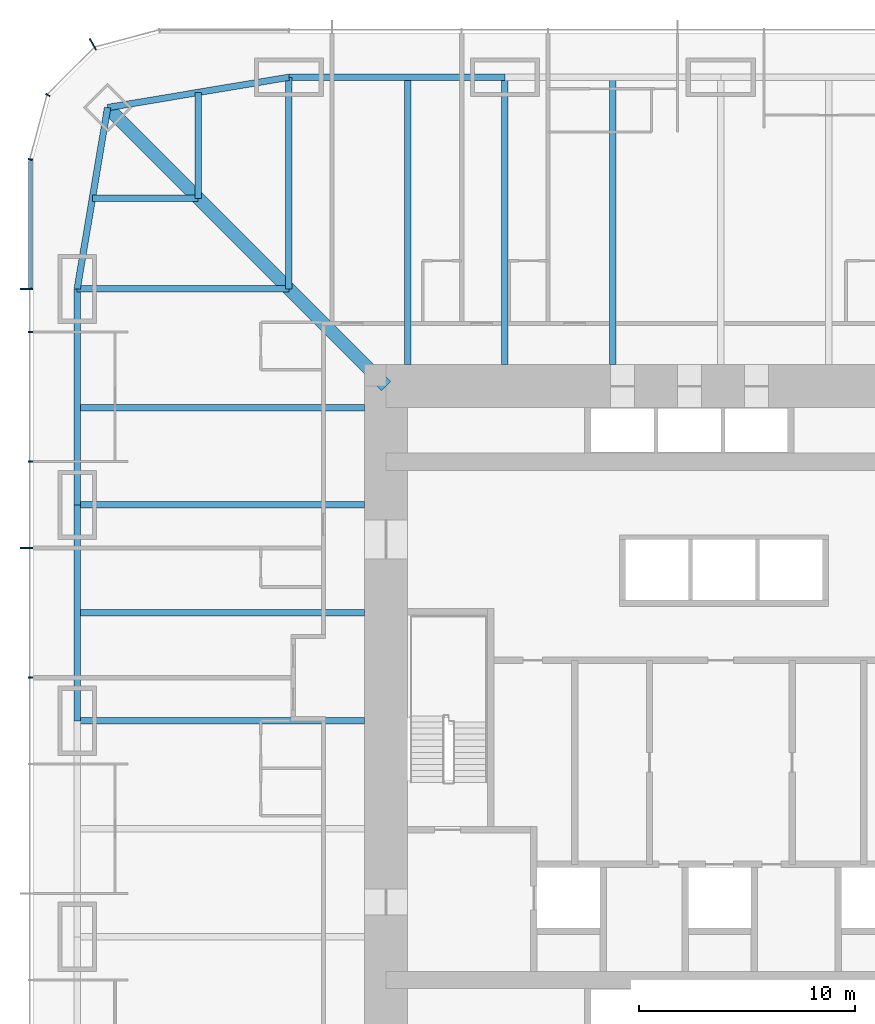
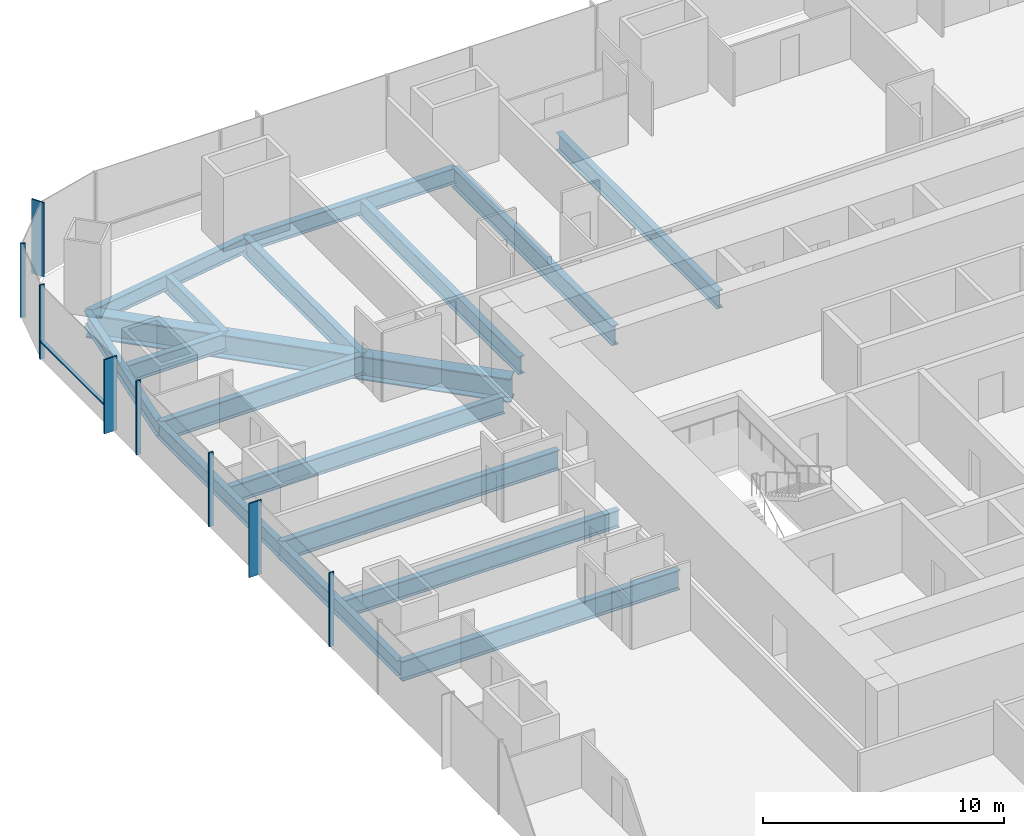
# One storey, part 6 of 20: 17 beams, 9 members, 2 elements without a shape of their own.
"""IFC4 building model written with IfcOpenShell, lengths in metres."""

from ifc_helpers import new_model, si_unit, direction, frame, origin, origin_2d, place, context, subcontext, project, spatial, rectangle, i_section, extrude, material, material_profile, profile_set, type_object, element, aggregate, save


model = new_model("IFC4")

# Units and contexts
model_context = context("Model", 3, precision=1e-05, world=origin(), true_north=direction((0.0, 1.0)))
body_context = subcontext(model_context, "Body", "Model", "MODEL_VIEW")
ifc_project = project(units=[si_unit("LENGTHUNIT", "METRE"), si_unit("AREAUNIT", "SQUARE_METRE"), si_unit("VOLUMEUNIT", "CUBIC_METRE"), si_unit("PLANEANGLEUNIT", "RADIAN"), si_unit("MASSUNIT", "GRAM", prefix="KILO")], contexts=[model_context])

# Site, building, storey
site_placement = place(None, origin())
site = spatial("IfcSite", under=ifc_project, at=site_placement, CompositionType="ELEMENT")
building_placement = place(site_placement, origin())
building = spatial("IfcBuilding", under=site, at=building_placement, Name="Khuree Lantern Residences", CompositionType="ELEMENT")
storey_placement = place(building_placement, frame((0.0, 0.0, 32.25)))
storey = spatial("IfcBuildingStorey", under=building, at=storey_placement, Name="L07", CompositionType="ELEMENT", Elevation=32.25)

# Beams
ifc_material_1 = material(Name="Steel S355", Category="steel")
ifc_material_profile_1 = material_profile(ifc_material_1, i_section(OverallWidth=0.300048828125, OverallDepth=0.889892578125, WebThickness=0.01611328125, FlangeThickness=0.030029296875, FilletRadius=0.030029296875, at=origin_2d()), Name="HE 900 A")
ifc_profile_set_1 = profile_set([ifc_material_profile_1], Name="Steel S355")
beam_type_1 = type_object("IfcBeamType", Name="B-11 SECONDARY BEAM HE 900 A", PredefinedType="BEAM", material=ifc_profile_set_1)
for number, where, z_axis, x_axis, name in (
    (1, (-14.5, 29.800048828125, -0.695068359375), (0.0, -1.0, 0.0), (1.0, 0.0, 0.0), "Secondary beam N1"),
    (2, (-5.0, 29.800048828125, -0.695068359375), (0.0, -1.0, 0.0), (1.0, 0.0, 0.0), "Secondary beam N2"),
    (3, (-29.800048828125, 5.0, -0.695068359375), (1.0, 0.0, 0.0), (0.0, 1.0, 0.0), "Secondary beam W4"),
    (4, (-29.800048828125, 14.5, -0.695068359375), (1.0, 0.0, 0.0), (0.0, 1.0, 0.0), "Secondary beam W5"),
):
    element("IfcBeam", number, at=place(storey_placement, frame(where, z_axis=z_axis, x_axis=x_axis)), inside=storey, type_object=beam_type_1, Name=name, PredefinedType="BEAM", context=body_context, shape_type="SweptSolid", body=[
        extrude(i_section(OverallWidth=0.300048828125, OverallDepth=0.889892578125, WebThickness=0.01611328125, FlangeThickness=0.030029296875, FilletRadius=0.030029296875, at=origin_2d()), origin(), (0.0, 0.0, 1.0), 13.300048828125),
    ])
for number, where, z_axis, x_axis, name in (
    (5, (-29.09716796875, 24.197021484375, -0.695068359375), (1.0, 0.0, 0.0), (0.0, 1.0, 0.0), "Secondary beam W6"),
    (6, (-24.197021484375, 29.09716796875, -0.695068359375), (0.0, -1.0, 0.0), (1.0, 0.0, 0.0), "Secondary beam N6"),
):
    element("IfcBeam", number, at=place(storey_placement, frame(where, z_axis=z_axis, x_axis=x_axis)), inside=storey, type_object=beam_type_1, Name=name, PredefinedType="BEAM", context=body_context, shape_type="SweptSolid", body=[
        extrude(i_section(OverallWidth=0.300048828125, OverallDepth=0.889892578125, WebThickness=0.01611328125, FlangeThickness=0.030029296875, FilletRadius=0.030029296875, at=origin_2d()), origin(), (0.0, 0.0, 1.0), 4.900146484375),
    ])
ifc_material_profile_2 = material_profile(ifc_material_1, i_section(OverallWidth=0.300048828125, OverallDepth=0.7900390625, WebThickness=0.014892578125, FlangeThickness=0.028076171875, FilletRadius=0.030029296875, at=origin_2d()), Name="HE 800 A")
ifc_profile_set_2 = profile_set([ifc_material_profile_2], Name="Steel S355")
beam_type_2 = type_object("IfcBeamType", Name="E-11 SPANDREL BEAM HE 800 A", PredefinedType="SPANDREL", material=ifc_profile_set_2)
for number, where, z_axis, x_axis, name in (
    (7, (-20.0, 29.800048828125, -0.64501953125), (1.0, 0.0, 0.0), (0.0, 1.0, 0.0), "Spandrel beam N1"),
    (8, (-29.800048828125, 0.0, -0.64501953125), (0.0, 1.0, 0.0), (-1.0, 0.0, 0.0), "Spandrel beam W4"),
    (9, (-29.800048828125, 10.0, -0.64501953125), (0.0, 1.0, 0.0), (-1.0, 0.0, 0.0), "Spandrel beam W5"),
):
    element("IfcBeam", number, at=place(storey_placement, frame(where, z_axis=z_axis, x_axis=x_axis)), inside=storey, type_object=beam_type_2, Name=name, PredefinedType="SPANDREL", context=body_context, shape_type="SweptSolid", body=[
        extrude(i_section(OverallWidth=0.300048828125, OverallDepth=0.7900390625, WebThickness=0.014892578125, FlangeThickness=0.028076171875, FilletRadius=0.030029296875, at=origin_2d()), origin(), (0.0, 0.0, 1.0), 10.0),
    ])
for number, where, z_axis, x_axis, name in (
    (10, (-29.800048828125, 20.0, -0.64501953125), (0.165199022349, 0.986260251158, 0.0), (-0.986260251158, 0.165199022349, 0.0), "Spandrel beam W6"),
    (11, (-28.39404296875, 28.39404296875, -0.64501953125), (0.986260251158, 0.165199022349, 0.0), (-0.165199022349, 0.986260251158, 0.0), "Spandrel beam N6"),
):
    element("IfcBeam", number, at=place(storey_placement, frame(where, z_axis=z_axis, x_axis=x_axis)), inside=storey, type_object=beam_type_2, Name=name, PredefinedType="SPANDREL", context=body_context, shape_type="SweptSolid", body=[
        extrude(i_section(OverallWidth=0.300048828125, OverallDepth=0.7900390625, WebThickness=0.014892578125, FlangeThickness=0.028076171875, FilletRadius=0.030029296875, at=origin_2d()), origin(), (0.0, 0.0, 1.0), 8.510986328125),
    ])

# Curtain wall, member
ifc_material_2 = material(Name="Bronze anodised aluminium", Category="aluminium")
curtain_wall_type_1 = type_object("IfcCurtainWallType", Name="CW-T2 TOWER CORNER CURTAIN WALL", PredefinedType="USERDEFINED", material=ifc_material_2)
curtain_wall_1_placement = place(storey_placement, origin())
curtain_wall_1 = element("IfcCurtainWall", 12, at=curtain_wall_1_placement, inside=storey, type_object=curtain_wall_type_1, Name="L07 NORTH-WEST CORNER CURTAIN WALL", ObjectType="Faceted corner curtain wall", PredefinedType="USERDEFINED")
ifc_material_profile_3 = material_profile(ifc_material_2, rectangle(XDim=0.06494140625, YDim=0.60009765625, at=origin_2d()), Name="F1 65X600")
ifc_profile_set_3 = profile_set([ifc_material_profile_3], Name="Bronze anodised aluminium")
member_type_1 = type_object("IfcMemberType", Name="F1 BRONZE FIN MULLION TOWER 65X600", PredefinedType="MULLION", material=ifc_profile_set_3)
member_1_placement = place(storey_placement, frame((-29.074951171875, 31.326171875, 0.0), z_axis=(0.0, 0.0, 1.0), x_axis=(-0.86602537092, -0.500000056923, 0.0)))
member_1 = element("IfcMember", 13, at=member_1_placement, type_object=member_type_1, Name="L07 NORTH-WEST CORNER FIN MULLION 30", PredefinedType="MULLION", context=body_context, shape_type="SweptSolid", body=[
    extrude(rectangle(XDim=0.06494140625, YDim=0.60009765625, at=origin_2d()), origin(), (0.0, 0.0, 1.0), 3.75),
])

# Curtain wall, members
curtain_wall_type_2 = type_object("IfcCurtainWallType", Name="CW-T1 TOWER FACE CURTAIN WALL", PredefinedType="USERDEFINED", material=ifc_material_2)
curtain_wall_2_placement = place(storey_placement, origin())
curtain_wall_2 = element("IfcCurtainWall", 14, at=curtain_wall_2_placement, inside=storey, type_object=curtain_wall_type_2, Name="L07 WEST FACE CURTAIN WALL", ObjectType="Stick-built curtain wall", PredefinedType="USERDEFINED")
member_2_placement = place(storey_placement, frame((-32.14990234375, 20.0, 0.0), z_axis=(0.0, 0.0, 1.0), x_axis=(0.0, -1.0, 0.0)))
member_2 = element("IfcMember", 15, at=member_2_placement, type_object=member_type_1, Name="L07 WEST FACE FIN MULLION 33", PredefinedType="MULLION", context=body_context, shape_type="SweptSolid", body=[
    extrude(rectangle(XDim=0.06494140625, YDim=0.60009765625, at=origin_2d()), origin(), (0.0, 0.0, 1.0), 3.75),
])
member_3_placement = place(storey_placement, frame((-32.14990234375, 8.0, 0.0), z_axis=(0.0, 0.0, 1.0), x_axis=(0.0, -1.0, 0.0)))
member_3 = element("IfcMember", 16, at=member_3_placement, type_object=member_type_1, Name="L07 WEST FACE FIN MULLION 36", PredefinedType="MULLION", context=body_context, shape_type="SweptSolid", body=[
    extrude(rectangle(XDim=0.06494140625, YDim=0.60009765625, at=origin_2d()), origin(), (0.0, 0.0, 1.0), 3.75),
])

# Beams
ifc_material_profile_4 = material_profile(ifc_material_1, i_section(OverallWidth=0.302001953125, OverallDepth=1.008056640625, WebThickness=0.02099609375, FlangeThickness=0.0400390625, FilletRadius=0.030029296875, at=origin_2d()), Name="HE 1000 M")
ifc_profile_set_4 = profile_set([ifc_material_profile_4], Name="Steel S355")
beam_type_3 = type_object("IfcBeamType", Name="G-11 GIRDER HE 1000 M", PredefinedType="BEAM", material=ifc_profile_set_4)
beam_1_placement = place(storey_placement, frame((-20.0, 29.800048828125, -0.75390625), z_axis=(0.0, -1.0, 0.0), x_axis=(1.0, 0.0, 0.0)))
element("IfcBeam", 17, at=beam_1_placement, inside=storey, type_object=beam_type_3, Name="Girder N1", PredefinedType="BEAM", context=body_context, shape_type="SweptSolid", body=[
    extrude(i_section(OverallWidth=0.302001953125, OverallDepth=1.008056640625, WebThickness=0.02099609375, FlangeThickness=0.0400390625, FilletRadius=0.030029296875, at=origin_2d()), origin(), (0.0, 0.0, 1.0), 9.800048828125),
])
for number, where, z_axis, x_axis, name in (
    (18, (-10.0, 29.800048828125, -0.75390625), (0.0, -1.0, 0.0), (1.0, 0.0, 0.0), "Girder N2"),
    (19, (-29.800048828125, 0.0, -0.75390625), (1.0, 0.0, 0.0), (0.0, 1.0, 0.0), "Girder W3"),
    (20, (-29.800048828125, 10.0, -0.75390625), (1.0, 0.0, 0.0), (0.0, 1.0, 0.0), "Girder W4"),
):
    element("IfcBeam", number, at=place(storey_placement, frame(where, z_axis=z_axis, x_axis=x_axis)), inside=storey, type_object=beam_type_3, Name=name, PredefinedType="BEAM", context=body_context, shape_type="SweptSolid", body=[
        extrude(i_section(OverallWidth=0.302001953125, OverallDepth=1.008056640625, WebThickness=0.02099609375, FlangeThickness=0.0400390625, FilletRadius=0.030029296875, at=origin_2d()), origin(), (0.0, 0.0, 1.0), 13.300048828125),
    ])
beam_2_placement = place(storey_placement, frame((-29.800048828125, 20.0, -0.75390625), z_axis=(1.0, 0.0, 0.0), x_axis=(0.0, 1.0, 0.0)))
element("IfcBeam", 21, at=beam_2_placement, inside=storey, type_object=beam_type_3, Name="Girder W5", PredefinedType="BEAM", context=body_context, shape_type="SweptSolid", body=[
    extrude(i_section(OverallWidth=0.302001953125, OverallDepth=1.008056640625, WebThickness=0.02099609375, FlangeThickness=0.0400390625, FilletRadius=0.030029296875, at=origin_2d()), origin(), (0.0, 0.0, 1.0), 9.800048828125),
])
ifc_material_profile_5 = material_profile(ifc_material_1, i_section(OverallWidth=0.60009765625, OverallDepth=1.199951171875, WebThickness=0.030029296875, FlangeThickness=0.06005859375, at=origin_2d()), Name="WELDED I 1200X600X30X60")
ifc_profile_set_5 = profile_set([ifc_material_profile_5], Name="Steel S355")
beam_type_4 = type_object("IfcBeamType", Name="GD-11 CORNER GIRDER WELDED I 1200X600X30X60", PredefinedType="BEAM", material=ifc_profile_set_5)
beam_3_placement = place(storey_placement, frame((-28.39404296875, 28.39404296875, -0.85009765625), z_axis=(0.707106781187, -0.707106781187, 0.0), x_axis=(0.707106781187, 0.707106781187, 0.0)))
element("IfcBeam", 22, at=beam_3_placement, inside=storey, type_object=beam_type_4, Name="Corner girder NW", PredefinedType="BEAM", context=body_context, shape_type="SweptSolid", body=[
    extrude(i_section(OverallWidth=0.60009765625, OverallDepth=1.199951171875, WebThickness=0.030029296875, FlangeThickness=0.06005859375, at=origin_2d()), origin(), (0.0, 0.0, 1.0), 18.23486328125),
])

# Member
ifc_material_profile_6 = material_profile(ifc_material_2, rectangle(XDim=0.06494140625, YDim=0.219970703125, at=origin_2d()), Name="M1 65X220")
ifc_profile_set_6 = profile_set([ifc_material_profile_6], Name="Bronze anodised aluminium")
member_type_2 = type_object("IfcMemberType", Name="M1 BRONZE MULLION TOWER 65X220", PredefinedType="MULLION", material=ifc_profile_set_6)
member_4_placement = place(storey_placement, frame((-31.16162109375, 28.97998046875, 0.0), z_axis=(0.0, 0.0, 1.0), x_axis=(-0.500000056923, -0.86602537092, 0.0)))
member_4 = element("IfcMember", 23, at=member_4_placement, type_object=member_type_2, Name="L07 NORTH-WEST CORNER MULLION 31", PredefinedType="MULLION", context=body_context, shape_type="SweptSolid", body=[
    extrude(rectangle(XDim=0.06494140625, YDim=0.219970703125, at=origin_2d()), origin(), (0.0, 0.0, 1.0), 3.75),
])

aggregate(curtain_wall_1, [member_1, member_4])

member_5_placement = place(storey_placement, frame((-31.961669921875, 25.994873046875, 0.0), z_axis=(0.0, 0.0, 1.0), x_axis=(-0.130526257387, -0.991444852794, 0.0)))
member_5 = element("IfcMember", 24, at=member_5_placement, type_object=member_type_2, Name="L07 WEST FACE MULLION 32", PredefinedType="MULLION", context=body_context, shape_type="SweptSolid", body=[
    extrude(rectangle(XDim=0.06494140625, YDim=0.219970703125, at=origin_2d()), origin(), (0.0, 0.0, 1.0), 3.75),
])

member_6_placement = place(storey_placement, frame((-31.9599609375, 18.0, 0.0), z_axis=(0.0, 0.0, 1.0), x_axis=(0.0, -1.0, 0.0)))
member_6 = element("IfcMember", 25, at=member_6_placement, type_object=member_type_2, Name="L07 WEST FACE MULLION 34", PredefinedType="MULLION", context=body_context, shape_type="SweptSolid", body=[
    extrude(rectangle(XDim=0.06494140625, YDim=0.219970703125, at=origin_2d()), origin(), (0.0, 0.0, 1.0), 3.75),
])

member_7_placement = place(storey_placement, frame((-31.9599609375, 12.0, 0.0), z_axis=(0.0, 0.0, 1.0), x_axis=(0.0, -1.0, 0.0)))
member_7 = element("IfcMember", 26, at=member_7_placement, type_object=member_type_2, Name="L07 WEST FACE MULLION 35", PredefinedType="MULLION", context=body_context, shape_type="SweptSolid", body=[
    extrude(rectangle(XDim=0.06494140625, YDim=0.219970703125, at=origin_2d()), origin(), (0.0, 0.0, 1.0), 3.75),
])

member_8_placement = place(storey_placement, frame((-31.9599609375, 2.0, 0.0), z_axis=(0.0, 0.0, 1.0), x_axis=(0.0, -1.0, 0.0)))
member_8 = element("IfcMember", 27, at=member_8_placement, type_object=member_type_2, Name="L07 WEST FACE MULLION 37", PredefinedType="MULLION", context=body_context, shape_type="SweptSolid", body=[
    extrude(rectangle(XDim=0.06494140625, YDim=0.219970703125, at=origin_2d()), origin(), (0.0, 0.0, 1.0), 3.75),
])

ifc_material_profile_7 = material_profile(ifc_material_2, rectangle(XDim=0.179931640625, YDim=0.06494140625, at=origin_2d()), Name="T1 180X65")
ifc_profile_set_7 = profile_set([ifc_material_profile_7], Name="Bronze anodised aluminium")
member_type_3 = type_object("IfcMemberType", Name="TRANSOM T1 TOWER 180X65", PredefinedType="USERDEFINED", material=ifc_profile_set_7)
member_9_placement = place(storey_placement, frame((-31.969970703125, 25.951416015625, 0.89990234375), z_axis=(0.0, -1.0, 0.0), x_axis=(1.0, 0.0, 0.0)))
member_9 = element("IfcMember", 28, at=member_9_placement, type_object=member_type_3, Name="L07 WEST FACE TRANSOM 32.1", ObjectType="Transom", PredefinedType="USERDEFINED", context=body_context, shape_type="SweptSolid", body=[
    extrude(rectangle(XDim=0.179931640625, YDim=0.06494140625, at=origin_2d()), origin(), (0.0, 0.0, 1.0), 5.9189453125),
])

aggregate(curtain_wall_2, [member_5, member_2, member_6, member_7, member_3, member_8, member_9])

save(model, "model.ifc")
